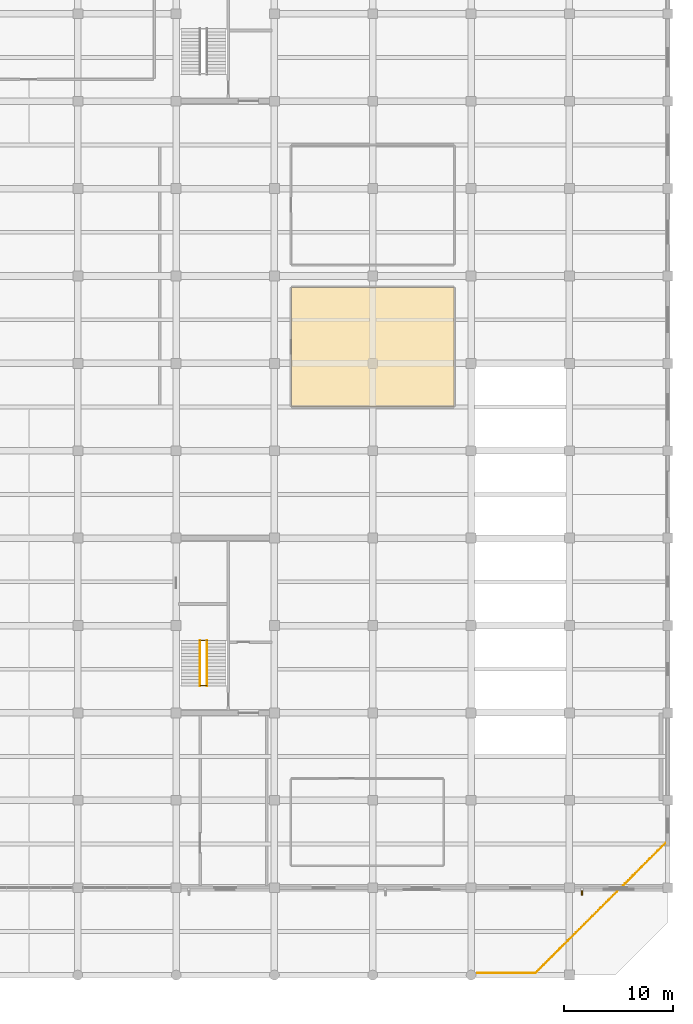
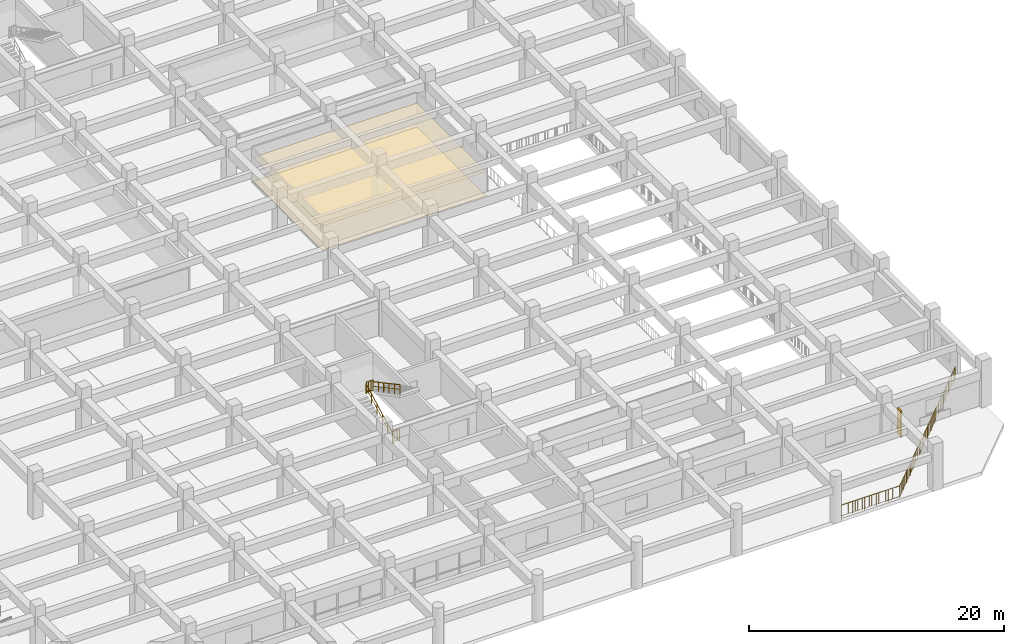
# One storey, part 38 of 40: 5 railings, 2 coverings, 1 shading device.
"""IFC4 building model written with IfcOpenShell, lengths in metres."""

from ifc_helpers import new_model, si_unit, direction, frame, frame_2d, origin, origin_2d, place, context, subcontext, project, spatial, polyline, rectangle, circle, outline, extrude, material, layer, layer_set, type_object, element, save


model = new_model("IFC4")

# Units and contexts
model_context = context("Model", 3, precision=1e-05, world=origin(), true_north=direction((0.0, 1.0)))
body_context = subcontext(model_context, "Body", "Model", "MODEL_VIEW")
ifc_project = project(units=[si_unit("LENGTHUNIT", "METRE"), si_unit("AREAUNIT", "SQUARE_METRE"), si_unit("VOLUMEUNIT", "CUBIC_METRE"), si_unit("PLANEANGLEUNIT", "RADIAN"), si_unit("MASSUNIT", "GRAM", prefix="KILO")], contexts=[model_context])

# Site, building, storey
site_placement = place(None, origin())
site = spatial("IfcSite", under=ifc_project, at=site_placement, CompositionType="ELEMENT")
building_placement = place(site_placement, origin())
building = spatial("IfcBuilding", under=site, at=building_placement, Name="Zaverband Oceanarium and Marine Research Institute", CompositionType="ELEMENT")
storey_placement = place(building_placement, origin())
storey = spatial("IfcBuildingStorey", under=building, at=storey_placement, Name="L00", CompositionType="ELEMENT", Elevation=0.0)

# Coverings
ifc_material_1 = material(Name="Perforated mineral-fibre acoustic ceiling tile")
ifc_layer_1 = layer(ifc_material_1, 0.02490234375, Name="Perforated mineral-fibre acoustic ceiling tile")
ifc_layer_set_1 = layer_set([ifc_layer_1], Name="Perforated mineral-fibre acoustic ceiling tile")
covering_type_1 = type_object("IfcCoveringType", Name="CLG-AC-15", PredefinedType="CEILING", material=ifc_layer_set_1)
covering_1_placement = place(storey_placement, frame((0.0, 0.0, 2.31005859375)))
element("IfcCovering", 1, at=covering_1_placement, inside=storey, type_object=covering_type_1, Name="Suspended acoustic ceiling CLG-AC-15", PredefinedType="CEILING", context=body_context, shape_type="SweptSolid", body=[
    extrude(outline(polyline([(145.570068359375, 52.070068359375), (160.429931640625, 52.070068359375), (160.429931640625, 62.929931640625), (145.570068359375, 62.929931640625), (145.570068359375, 52.070068359375)])), origin(), (0.0, 0.0, 1.0), 0.02490234375),
])
ifc_material_2 = material(Name="Polished marine terrazzo and seamless laboratory epoxy flooring")
ifc_layer_2 = layer(ifc_material_2, 0.02490234375, Name="Polished marine terrazzo and seamless laboratory epoxy flooring")
ifc_layer_set_2 = layer_set([ifc_layer_2], Name="Polished marine terrazzo and seamless laboratory epoxy flooring")
covering_type_2 = type_object("IfcCoveringType", Name="FLR-TRZ-20", PredefinedType="FLOORING", material=ifc_layer_set_2)
covering_2_placement = place(storey_placement, origin())
element("IfcCovering", 2, at=covering_2_placement, inside=storey, type_object=covering_type_2, Name="Terrazzo and marine epoxy floor finish FLR-TRZ-20", PredefinedType="FLOORING", context=body_context, shape_type="SweptSolid", body=[
    extrude(outline(polyline([(145.570068359375, 52.070068359375), (160.429931640625, 52.070068359375), (160.429931640625, 62.929931640625), (145.570068359375, 62.929931640625), (145.570068359375, 52.070068359375)])), origin(), (0.0, 0.0, 1.0), 0.02490234375),
])

# Railings
ifc_material_3 = material(Name="Steel S355", Category="steel")
ifc_layer_3 = layer(ifc_material_3, 0.06005859375, Name="Steel S355")
ifc_layer_set_3 = layer_set([ifc_layer_3], Name="Steel S355")
railing_type_1 = type_object("IfcRailingType", Name="GRD-1100", PredefinedType="BALUSTRADE", material=ifc_layer_set_3)
for number, where, name in (
    (3, (137.18994140625, 30.6298828125, 2.25), "1100 mm steel post-and-baluster safety guard GRD-1100"),
    (4, (137.18994140625, 26.530029296875, 0.0), "1100 mm steel post-and-baluster safety guard GRD-1100"),
):
    element("IfcRailing", number, at=place(storey_placement, frame(where)), inside=storey, type_object=railing_type_1, Name=name, PredefinedType="BALUSTRADE", context=body_context, shape_type="SweptSolid", body=[
        extrude(circle(Radius=0.02392578125, at=origin_2d()), frame((0.0, 0.0, 1.076171875), z_axis=(1.0, 0.0, 0.0), x_axis=(0.0, 1.0, 0.0)), (0.0, 0.0, 1.0), 0.6201171875),
        extrude(circle(Radius=0.009033203125, at=origin_2d()), frame((0.0, 0.0, 0.10009765625), z_axis=(1.0, 0.0, 0.0), x_axis=(0.0, 1.0, 0.0)), (0.0, 0.0, 1.0), 0.6201171875),
        extrude(circle(Radius=0.009033203125, at=origin_2d()), frame((0.206787109375, 0.0, 0.10009765625)), (0.0, 0.0, 1.0), 0.951904296875),
        extrude(circle(Radius=0.009033203125, at=origin_2d()), frame((0.413330078125, 0.0, 0.10009765625)), (0.0, 0.0, 1.0), 0.951904296875),
        extrude(circle(Radius=0.02099609375, at=origin_2d()), origin(), (0.0, 0.0, 1.0), 1.052001953125),
        extrude(circle(Radius=0.02099609375, at=origin_2d()), frame((0.6201171875, 0.0, 0.0)), (0.0, 0.0, 1.0), 1.052001953125),
    ])
ifc_layer_4 = layer(ifc_material_3, 0.06005859375, Name="Steel S355")
ifc_layer_set_4 = layer_set([ifc_layer_4], Name="Steel S355")
railing_type_2 = type_object("IfcRailingType", Name="GRD-EXT-1150", PredefinedType="BALUSTRADE", material=ifc_layer_set_4)
railing_1_placement = place(storey_placement, frame((162.60009765625, 0.179931640625, 0.0)))
element("IfcRailing", 5, at=railing_1_placement, inside=storey, type_object=railing_type_2, Name="1150 mm marine-grade stainless steel terrace guard GRD-EXT-1150", PredefinedType="BALUSTRADE", context=body_context, shape_type="SweptSolid", body=[
    extrude(circle(Radius=0.02392578125, at=origin_2d()), frame((0.0, 0.0, 1.1259765625), z_axis=(1.0, 0.0, 0.0), x_axis=(0.0, 1.0, 0.0)), (0.0, 0.0, 1.0), 5.2998046875),
    extrude(circle(Radius=0.009033203125, at=origin_2d()), frame((0.0, 0.0, 0.10009765625), z_axis=(1.0, 0.0, 0.0), x_axis=(0.0, 1.0, 0.0)), (0.0, 0.0, 1.0), 5.2998046875),
    extrude(circle(Radius=0.009033203125, at=origin_2d()), frame((0.2119140625, 0.0, 0.10009765625)), (0.0, 0.0, 1.0), 1.001708984375),
    extrude(circle(Radius=0.009033203125, at=origin_2d()), frame((0.424072265625, 0.0, 0.10009765625)), (0.0, 0.0, 1.0), 1.001708984375),
    extrude(circle(Radius=0.009033203125, at=origin_2d()), frame((0.635986328125, 0.0, 0.10009765625)), (0.0, 0.0, 1.0), 1.001708984375),
    extrude(circle(Radius=0.009033203125, at=origin_2d()), frame((0.847900390625, 0.0, 0.10009765625)), (0.0, 0.0, 1.0), 1.001708984375),
    extrude(circle(Radius=0.009033203125, at=origin_2d()), frame((1.06005859375, 0.0, 0.10009765625)), (0.0, 0.0, 1.0), 1.001708984375),
    extrude(circle(Radius=0.009033203125, at=origin_2d()), frame((1.27197265625, 0.0, 0.10009765625)), (0.0, 0.0, 1.0), 1.001708984375),
    extrude(circle(Radius=0.009033203125, at=origin_2d()), frame((1.48388671875, 0.0, 0.10009765625)), (0.0, 0.0, 1.0), 1.001708984375),
    extrude(circle(Radius=0.009033203125, at=origin_2d()), frame((1.696044921875, 0.0, 0.10009765625)), (0.0, 0.0, 1.0), 1.001708984375),
    extrude(circle(Radius=0.009033203125, at=origin_2d()), frame((1.907958984375, 0.0, 0.10009765625)), (0.0, 0.0, 1.0), 1.001708984375),
    extrude(circle(Radius=0.009033203125, at=origin_2d()), frame((2.119873046875, 0.0, 0.10009765625)), (0.0, 0.0, 1.0), 1.001708984375),
    extrude(circle(Radius=0.009033203125, at=origin_2d()), frame((2.33203125, 0.0, 0.10009765625)), (0.0, 0.0, 1.0), 1.001708984375),
    extrude(circle(Radius=0.009033203125, at=origin_2d()), frame((2.5439453125, 0.0, 0.10009765625)), (0.0, 0.0, 1.0), 1.001708984375),
    extrude(circle(Radius=0.009033203125, at=origin_2d()), frame((2.755859375, 0.0, 0.10009765625)), (0.0, 0.0, 1.0), 1.001708984375),
    extrude(circle(Radius=0.009033203125, at=origin_2d()), frame((2.9677734375, 0.0, 0.10009765625)), (0.0, 0.0, 1.0), 1.001708984375),
    extrude(circle(Radius=0.009033203125, at=origin_2d()), frame((3.179931640625, 0.0, 0.10009765625)), (0.0, 0.0, 1.0), 1.001708984375),
    extrude(circle(Radius=0.009033203125, at=origin_2d()), frame((3.391845703125, 0.0, 0.10009765625)), (0.0, 0.0, 1.0), 1.001708984375),
    extrude(circle(Radius=0.009033203125, at=origin_2d()), frame((3.603759765625, 0.0, 0.10009765625)), (0.0, 0.0, 1.0), 1.001708984375),
    extrude(circle(Radius=0.009033203125, at=origin_2d()), frame((3.81591796875, 0.0, 0.10009765625)), (0.0, 0.0, 1.0), 1.001708984375),
    extrude(circle(Radius=0.009033203125, at=origin_2d()), frame((4.02783203125, 0.0, 0.10009765625)), (0.0, 0.0, 1.0), 1.001708984375),
    extrude(circle(Radius=0.009033203125, at=origin_2d()), frame((4.23974609375, 0.0, 0.10009765625)), (0.0, 0.0, 1.0), 1.001708984375),
    extrude(circle(Radius=0.009033203125, at=origin_2d()), frame((4.451904296875, 0.0, 0.10009765625)), (0.0, 0.0, 1.0), 1.001708984375),
    extrude(circle(Radius=0.009033203125, at=origin_2d()), frame((4.663818359375, 0.0, 0.10009765625)), (0.0, 0.0, 1.0), 1.001708984375),
    extrude(circle(Radius=0.009033203125, at=origin_2d()), frame((4.875732421875, 0.0, 0.10009765625)), (0.0, 0.0, 1.0), 1.001708984375),
    extrude(circle(Radius=0.009033203125, at=origin_2d()), frame((5.087890625, 0.0, 0.10009765625)), (0.0, 0.0, 1.0), 1.001708984375),
    extrude(circle(Radius=0.02392578125, at=origin_2d()), frame((5.2998046875, 0.0, 1.1259765625), z_axis=(0.707106781187, 0.707106781187, 0.0), x_axis=(-0.707106781187, 0.707106781187, 0.0)), (0.0, 0.0, 1.0), 16.857666015625),
    extrude(circle(Radius=0.009033203125, at=origin_2d()), frame((5.2998046875, 0.0, 0.10009765625), z_axis=(0.707106781187, 0.707106781187, 0.0), x_axis=(-0.707106781187, 0.707106781187, 0.0)), (0.0, 0.0, 1.0), 16.857666015625),
    extrude(circle(Radius=0.009033203125, at=origin_2d()), frame((5.45458984375, 0.15478515625, 0.10009765625)), (0.0, 0.0, 1.0), 1.001708984375),
    extrude(circle(Radius=0.009033203125, at=origin_2d()), frame((5.609375, 0.3095703125, 0.10009765625)), (0.0, 0.0, 1.0), 1.001708984375),
    extrude(circle(Radius=0.009033203125, at=origin_2d()), frame((5.76416015625, 0.46435546875, 0.10009765625)), (0.0, 0.0, 1.0), 1.001708984375),
    extrude(circle(Radius=0.009033203125, at=origin_2d()), frame((5.9189453125, 0.619140625, 0.10009765625)), (0.0, 0.0, 1.0), 1.001708984375),
    extrude(circle(Radius=0.009033203125, at=origin_2d()), frame((6.07373046875, 0.77392578125, 0.10009765625)), (0.0, 0.0, 1.0), 1.001708984375),
    extrude(circle(Radius=0.009033203125, at=origin_2d()), frame((6.228759765625, 0.928955078125, 0.10009765625)), (0.0, 0.0, 1.0), 1.001708984375),
    extrude(circle(Radius=0.009033203125, at=origin_2d()), frame((6.383544921875, 1.083740234375, 0.10009765625)), (0.0, 0.0, 1.0), 1.001708984375),
    extrude(circle(Radius=0.009033203125, at=origin_2d()), frame((6.538330078125, 1.238525390625, 0.10009765625)), (0.0, 0.0, 1.0), 1.001708984375),
    extrude(circle(Radius=0.009033203125, at=origin_2d()), frame((6.693115234375, 1.393310546875, 0.10009765625)), (0.0, 0.0, 1.0), 1.001708984375),
    extrude(circle(Radius=0.009033203125, at=origin_2d()), frame((6.847900390625, 1.548095703125, 0.10009765625)), (0.0, 0.0, 1.0), 1.001708984375),
    extrude(circle(Radius=0.009033203125, at=origin_2d()), frame((7.002685546875, 1.702880859375, 0.10009765625)), (0.0, 0.0, 1.0), 1.001708984375),
    extrude(circle(Radius=0.009033203125, at=origin_2d()), frame((7.157470703125, 1.857666015625, 0.10009765625)), (0.0, 0.0, 1.0), 1.001708984375),
    extrude(circle(Radius=0.009033203125, at=origin_2d()), frame((7.312255859375, 2.012451171875, 0.10009765625)), (0.0, 0.0, 1.0), 1.001708984375),
    extrude(circle(Radius=0.009033203125, at=origin_2d()), frame((7.467041015625, 2.167236328125, 0.10009765625)), (0.0, 0.0, 1.0), 1.001708984375),
    extrude(circle(Radius=0.009033203125, at=origin_2d()), frame((7.621826171875, 2.322021484375, 0.10009765625)), (0.0, 0.0, 1.0), 1.001708984375),
    extrude(circle(Radius=0.009033203125, at=origin_2d()), frame((7.776611328125, 2.476806640625, 0.10009765625)), (0.0, 0.0, 1.0), 1.001708984375),
    extrude(circle(Radius=0.009033203125, at=origin_2d()), frame((7.931640625, 2.6318359375, 0.10009765625)), (0.0, 0.0, 1.0), 1.001708984375),
    extrude(circle(Radius=0.009033203125, at=origin_2d()), frame((8.08642578125, 2.78662109375, 0.10009765625)), (0.0, 0.0, 1.0), 1.001708984375),
    extrude(circle(Radius=0.009033203125, at=origin_2d()), frame((8.2412109375, 2.94140625, 0.10009765625)), (0.0, 0.0, 1.0), 1.001708984375),
    extrude(circle(Radius=0.009033203125, at=origin_2d()), frame((8.39599609375, 3.09619140625, 0.10009765625)), (0.0, 0.0, 1.0), 1.001708984375),
    extrude(circle(Radius=0.009033203125, at=origin_2d()), frame((8.55078125, 3.2509765625, 0.10009765625)), (0.0, 0.0, 1.0), 1.001708984375),
    extrude(circle(Radius=0.009033203125, at=origin_2d()), frame((8.70556640625, 3.40576171875, 0.10009765625)), (0.0, 0.0, 1.0), 1.001708984375),
    extrude(circle(Radius=0.009033203125, at=origin_2d()), frame((8.8603515625, 3.560546875, 0.10009765625)), (0.0, 0.0, 1.0), 1.001708984375),
    extrude(circle(Radius=0.009033203125, at=origin_2d()), frame((9.01513671875, 3.71533203125, 0.10009765625)), (0.0, 0.0, 1.0), 1.001708984375),
    extrude(circle(Radius=0.009033203125, at=origin_2d()), frame((9.169921875, 3.8701171875, 0.10009765625)), (0.0, 0.0, 1.0), 1.001708984375),
    extrude(circle(Radius=0.009033203125, at=origin_2d()), frame((9.32470703125, 4.02490234375, 0.10009765625)), (0.0, 0.0, 1.0), 1.001708984375),
    extrude(circle(Radius=0.009033203125, at=origin_2d()), frame((9.4794921875, 4.1796875, 0.10009765625)), (0.0, 0.0, 1.0), 1.001708984375),
    extrude(circle(Radius=0.009033203125, at=origin_2d()), frame((9.634521484375, 4.334716796875, 0.10009765625)), (0.0, 0.0, 1.0), 1.001708984375),
    extrude(circle(Radius=0.009033203125, at=origin_2d()), frame((9.789306640625, 4.489501953125, 0.10009765625)), (0.0, 0.0, 1.0), 1.001708984375),
    extrude(circle(Radius=0.009033203125, at=origin_2d()), frame((9.944091796875, 4.644287109375, 0.10009765625)), (0.0, 0.0, 1.0), 1.001708984375),
    extrude(circle(Radius=0.009033203125, at=origin_2d()), frame((10.098876953125, 4.799072265625, 0.10009765625)), (0.0, 0.0, 1.0), 1.001708984375),
    extrude(circle(Radius=0.009033203125, at=origin_2d()), frame((10.253662109375, 4.953857421875, 0.10009765625)), (0.0, 0.0, 1.0), 1.001708984375),
    extrude(circle(Radius=0.009033203125, at=origin_2d()), frame((10.408447265625, 5.108642578125, 0.10009765625)), (0.0, 0.0, 1.0), 1.001708984375),
    extrude(circle(Radius=0.009033203125, at=origin_2d()), frame((10.563232421875, 5.263427734375, 0.10009765625)), (0.0, 0.0, 1.0), 1.001708984375),
    extrude(circle(Radius=0.009033203125, at=origin_2d()), frame((10.718017578125, 5.418212890625, 0.10009765625)), (0.0, 0.0, 1.0), 1.001708984375),
    extrude(circle(Radius=0.009033203125, at=origin_2d()), frame((10.872802734375, 5.572998046875, 0.10009765625)), (0.0, 0.0, 1.0), 1.001708984375),
    extrude(circle(Radius=0.009033203125, at=origin_2d()), frame((11.027587890625, 5.727783203125, 0.10009765625)), (0.0, 0.0, 1.0), 1.001708984375),
    extrude(circle(Radius=0.009033203125, at=origin_2d()), frame((11.182373046875, 5.882568359375, 0.10009765625)), (0.0, 0.0, 1.0), 1.001708984375),
    extrude(circle(Radius=0.009033203125, at=origin_2d()), frame((11.33740234375, 6.03759765625, 0.10009765625)), (0.0, 0.0, 1.0), 1.001708984375),
    extrude(circle(Radius=0.009033203125, at=origin_2d()), frame((11.4921875, 6.1923828125, 0.10009765625)), (0.0, 0.0, 1.0), 1.001708984375),
    extrude(circle(Radius=0.009033203125, at=origin_2d()), frame((11.64697265625, 6.34716796875, 0.10009765625)), (0.0, 0.0, 1.0), 1.001708984375),
    extrude(circle(Radius=0.009033203125, at=origin_2d()), frame((11.8017578125, 6.501953125, 0.10009765625)), (0.0, 0.0, 1.0), 1.001708984375),
    extrude(circle(Radius=0.009033203125, at=origin_2d()), frame((11.95654296875, 6.65673828125, 0.10009765625)), (0.0, 0.0, 1.0), 1.001708984375),
    extrude(circle(Radius=0.009033203125, at=origin_2d()), frame((12.111328125, 6.8115234375, 0.10009765625)), (0.0, 0.0, 1.0), 1.001708984375),
    extrude(circle(Radius=0.009033203125, at=origin_2d()), frame((12.26611328125, 6.96630859375, 0.10009765625)), (0.0, 0.0, 1.0), 1.001708984375),
    extrude(circle(Radius=0.009033203125, at=origin_2d()), frame((12.4208984375, 7.12109375, 0.10009765625)), (0.0, 0.0, 1.0), 1.001708984375),
    extrude(circle(Radius=0.009033203125, at=origin_2d()), frame((12.57568359375, 7.27587890625, 0.10009765625)), (0.0, 0.0, 1.0), 1.001708984375),
    extrude(circle(Radius=0.009033203125, at=origin_2d()), frame((12.73046875, 7.4306640625, 0.10009765625)), (0.0, 0.0, 1.0), 1.001708984375),
    extrude(circle(Radius=0.009033203125, at=origin_2d()), frame((12.88525390625, 7.58544921875, 0.10009765625)), (0.0, 0.0, 1.0), 1.001708984375),
    extrude(circle(Radius=0.009033203125, at=origin_2d()), frame((13.040283203125, 7.740478515625, 0.10009765625)), (0.0, 0.0, 1.0), 1.001708984375),
    extrude(circle(Radius=0.009033203125, at=origin_2d()), frame((13.195068359375, 7.895263671875, 0.10009765625)), (0.0, 0.0, 1.0), 1.001708984375),
    extrude(circle(Radius=0.009033203125, at=origin_2d()), frame((13.349853515625, 8.050048828125, 0.10009765625)), (0.0, 0.0, 1.0), 1.001708984375),
    extrude(circle(Radius=0.009033203125, at=origin_2d()), frame((13.504638671875, 8.204833984375, 0.10009765625)), (0.0, 0.0, 1.0), 1.001708984375),
    extrude(circle(Radius=0.009033203125, at=origin_2d()), frame((13.659423828125, 8.359619140625, 0.10009765625)), (0.0, 0.0, 1.0), 1.001708984375),
    extrude(circle(Radius=0.009033203125, at=origin_2d()), frame((13.814208984375, 8.514404296875, 0.10009765625)), (0.0, 0.0, 1.0), 1.001708984375),
    extrude(circle(Radius=0.009033203125, at=origin_2d()), frame((13.968994140625, 8.669189453125, 0.10009765625)), (0.0, 0.0, 1.0), 1.001708984375),
    extrude(circle(Radius=0.009033203125, at=origin_2d()), frame((14.123779296875, 8.823974609375, 0.10009765625)), (0.0, 0.0, 1.0), 1.001708984375),
    extrude(circle(Radius=0.009033203125, at=origin_2d()), frame((14.278564453125, 8.978759765625, 0.10009765625)), (0.0, 0.0, 1.0), 1.001708984375),
    extrude(circle(Radius=0.009033203125, at=origin_2d()), frame((14.433349609375, 9.133544921875, 0.10009765625)), (0.0, 0.0, 1.0), 1.001708984375),
    extrude(circle(Radius=0.009033203125, at=origin_2d()), frame((14.588134765625, 9.288330078125, 0.10009765625)), (0.0, 0.0, 1.0), 1.001708984375),
    extrude(circle(Radius=0.009033203125, at=origin_2d()), frame((14.7431640625, 9.443359375, 0.10009765625)), (0.0, 0.0, 1.0), 1.001708984375),
    extrude(circle(Radius=0.009033203125, at=origin_2d()), frame((14.89794921875, 9.59814453125, 0.10009765625)), (0.0, 0.0, 1.0), 1.001708984375),
    extrude(circle(Radius=0.009033203125, at=origin_2d()), frame((15.052734375, 9.7529296875, 0.10009765625)), (0.0, 0.0, 1.0), 1.001708984375),
    extrude(circle(Radius=0.009033203125, at=origin_2d()), frame((15.20751953125, 9.90771484375, 0.10009765625)), (0.0, 0.0, 1.0), 1.001708984375),
    extrude(circle(Radius=0.009033203125, at=origin_2d()), frame((15.3623046875, 10.0625, 0.10009765625)), (0.0, 0.0, 1.0), 1.001708984375),
    extrude(circle(Radius=0.009033203125, at=origin_2d()), frame((15.51708984375, 10.21728515625, 0.10009765625)), (0.0, 0.0, 1.0), 1.001708984375),
    extrude(circle(Radius=0.009033203125, at=origin_2d()), frame((15.671875, 10.3720703125, 0.10009765625)), (0.0, 0.0, 1.0), 1.001708984375),
    extrude(circle(Radius=0.009033203125, at=origin_2d()), frame((15.82666015625, 10.52685546875, 0.10009765625)), (0.0, 0.0, 1.0), 1.001708984375),
    extrude(circle(Radius=0.009033203125, at=origin_2d()), frame((15.9814453125, 10.681640625, 0.10009765625)), (0.0, 0.0, 1.0), 1.001708984375),
    extrude(circle(Radius=0.009033203125, at=origin_2d()), frame((16.13623046875, 10.83642578125, 0.10009765625)), (0.0, 0.0, 1.0), 1.001708984375),
    extrude(circle(Radius=0.009033203125, at=origin_2d()), frame((16.291015625, 10.9912109375, 0.10009765625)), (0.0, 0.0, 1.0), 1.001708984375),
    extrude(circle(Radius=0.009033203125, at=origin_2d()), frame((16.446044921875, 11.146240234375, 0.10009765625)), (0.0, 0.0, 1.0), 1.001708984375),
    extrude(circle(Radius=0.009033203125, at=origin_2d()), frame((16.600830078125, 11.301025390625, 0.10009765625)), (0.0, 0.0, 1.0), 1.001708984375),
    extrude(circle(Radius=0.009033203125, at=origin_2d()), frame((16.755615234375, 11.455810546875, 0.10009765625)), (0.0, 0.0, 1.0), 1.001708984375),
    extrude(circle(Radius=0.009033203125, at=origin_2d()), frame((16.910400390625, 11.610595703125, 0.10009765625)), (0.0, 0.0, 1.0), 1.001708984375),
    extrude(circle(Radius=0.009033203125, at=origin_2d()), frame((17.065185546875, 11.765380859375, 0.10009765625)), (0.0, 0.0, 1.0), 1.001708984375),
    extrude(circle(Radius=0.02099609375, at=origin_2d()), origin(), (0.0, 0.0, 1.0), 1.101806640625),
    extrude(circle(Radius=0.02099609375, at=origin_2d()), frame((1.06005859375, 0.0, 0.0)), (0.0, 0.0, 1.0), 1.101806640625),
    extrude(circle(Radius=0.02099609375, at=origin_2d()), frame((2.119873046875, 0.0, 0.0)), (0.0, 0.0, 1.0), 1.101806640625),
    extrude(circle(Radius=0.02099609375, at=origin_2d()), frame((3.179931640625, 0.0, 0.0)), (0.0, 0.0, 1.0), 1.101806640625),
    extrude(circle(Radius=0.02099609375, at=origin_2d()), frame((4.23974609375, 0.0, 0.0)), (0.0, 0.0, 1.0), 1.101806640625),
    extrude(circle(Radius=0.02099609375, at=origin_2d()), frame((5.2998046875, 0.0, 0.0)), (0.0, 0.0, 1.0), 1.101806640625),
    extrude(circle(Radius=0.02099609375, at=origin_2d()), frame((6.044921875, 0.7451171875, 0.0)), (0.0, 0.0, 1.0), 1.101806640625),
    extrude(circle(Radius=0.02099609375, at=origin_2d()), frame((6.789794921875, 1.489990234375, 0.0)), (0.0, 0.0, 1.0), 1.101806640625),
    extrude(circle(Radius=0.02099609375, at=origin_2d()), frame((7.534912109375, 2.235107421875, 0.0)), (0.0, 0.0, 1.0), 1.101806640625),
    extrude(circle(Radius=0.02099609375, at=origin_2d()), frame((8.27978515625, 2.97998046875, 0.0)), (0.0, 0.0, 1.0), 1.101806640625),
    extrude(circle(Radius=0.02099609375, at=origin_2d()), frame((9.02490234375, 3.72509765625, 0.0)), (0.0, 0.0, 1.0), 1.101806640625),
    extrude(circle(Radius=0.02099609375, at=origin_2d()), frame((9.769775390625, 4.469970703125, 0.0)), (0.0, 0.0, 1.0), 1.101806640625),
    extrude(circle(Radius=0.02099609375, at=origin_2d()), frame((10.514892578125, 5.215087890625, 0.0)), (0.0, 0.0, 1.0), 1.101806640625),
    extrude(circle(Radius=0.02099609375, at=origin_2d()), frame((11.259765625, 5.9599609375, 0.0)), (0.0, 0.0, 1.0), 1.101806640625),
    extrude(circle(Radius=0.02099609375, at=origin_2d()), frame((12.0048828125, 6.705078125, 0.0)), (0.0, 0.0, 1.0), 1.101806640625),
    extrude(circle(Radius=0.02099609375, at=origin_2d()), frame((12.75, 7.4501953125, 0.0)), (0.0, 0.0, 1.0), 1.101806640625),
    extrude(circle(Radius=0.02099609375, at=origin_2d()), frame((13.494873046875, 8.195068359375, 0.0)), (0.0, 0.0, 1.0), 1.101806640625),
    extrude(circle(Radius=0.02099609375, at=origin_2d()), frame((14.239990234375, 8.940185546875, 0.0)), (0.0, 0.0, 1.0), 1.101806640625),
    extrude(circle(Radius=0.02099609375, at=origin_2d()), frame((14.98486328125, 9.68505859375, 0.0)), (0.0, 0.0, 1.0), 1.101806640625),
    extrude(circle(Radius=0.02099609375, at=origin_2d()), frame((15.72998046875, 10.43017578125, 0.0)), (0.0, 0.0, 1.0), 1.101806640625),
    extrude(circle(Radius=0.02099609375, at=origin_2d()), frame((16.474853515625, 11.175048828125, 0.0)), (0.0, 0.0, 1.0), 1.101806640625),
    extrude(circle(Radius=0.02099609375, at=origin_2d()), frame((17.219970703125, 11.920166015625, 0.0)), (0.0, 0.0, 1.0), 1.101806640625),
])
ifc_layer_5 = layer(ifc_material_3, 0.050048828125, Name="Steel S355")
ifc_layer_set_5 = layer_set([ifc_layer_5], Name="Steel S355")
railing_type_3 = type_object("IfcRailingType", Name="HR-920", PredefinedType="HANDRAIL", material=ifc_layer_set_5)
railing_2_placement = place(storey_placement, frame((137.18994140625, 26.449951171875, 0.0)))
element("IfcRailing", 6, at=railing_2_placement, inside=storey, type_object=railing_type_3, Name="920 mm continuous tubular stair and ramp handrail HR-920", PredefinedType="HANDRAIL", context=body_context, shape_type="SweptSolid", body=[
    extrude(circle(Radius=0.02392578125, at=origin_2d()), frame((0.0, 0.0, 0.89599609375), z_axis=(0.0, 0.881477684796, 0.472225678258), x_axis=(-1.0, 0.0, 0.0)), (0.0, 0.0, 1.0), 4.7646484375),
    extrude(circle(Radius=0.009033203125, at=origin_2d()), frame((0.0, 0.0, 0.4599609375), z_axis=(0.0, 0.881477684796, 0.472225678258), x_axis=(-1.0, 0.0, 0.0)), (0.0, 0.0, 1.0), 4.7646484375),
    extrude(circle(Radius=0.02099609375, at=origin_2d()), origin(), (0.0, 0.0, 1.0), 0.871826171875),
    extrude(circle(Radius=0.02099609375, at=origin_2d()), frame((0.0, 0.840087890625, 0.449951171875)), (0.0, 0.0, 1.0), 0.871826171875),
    extrude(circle(Radius=0.02099609375, at=origin_2d()), frame((0.0, 1.679931640625, 0.89990234375)), (0.0, 0.0, 1.0), 0.871826171875),
    extrude(circle(Radius=0.02099609375, at=origin_2d()), frame((0.0, 2.52001953125, 1.35009765625)), (0.0, 0.0, 1.0), 0.871826171875),
    extrude(circle(Radius=0.02099609375, at=origin_2d()), frame((0.0, 3.35986328125, 1.800048828125)), (0.0, 0.0, 1.0), 0.871826171875),
    extrude(circle(Radius=0.02099609375, at=origin_2d()), frame((0.0, 4.199951171875, 2.25)), (0.0, 0.0, 1.0), 0.871826171875),
])
railing_3_placement = place(storey_placement, frame((137.81005859375, 30.64990234375, 2.25)))
element("IfcRailing", 7, at=railing_3_placement, inside=storey, type_object=railing_type_3, Name="920 mm continuous tubular stair and ramp handrail HR-920", PredefinedType="HANDRAIL", context=body_context, shape_type="SweptSolid", body=[
    extrude(circle(Radius=0.02392578125, at=origin_2d()), frame((0.0, 0.0, 0.89599609375), z_axis=(0.0, -0.881477684796, 0.472225678258), x_axis=(1.0, 0.0, 0.0)), (0.0, 0.0, 1.0), 4.7646484375),
    extrude(circle(Radius=0.009033203125, at=origin_2d()), frame((0.0, 0.0, 0.4599609375), z_axis=(0.0, -0.881477684796, 0.472225678258), x_axis=(1.0, 0.0, 0.0)), (0.0, 0.0, 1.0), 4.7646484375),
    extrude(circle(Radius=0.02099609375, at=origin_2d()), origin(), (0.0, 0.0, 1.0), 0.871826171875),
    extrude(circle(Radius=0.02099609375, at=origin_2d()), frame((0.0, -0.840087890625, 0.449951171875)), (0.0, 0.0, 1.0), 0.871826171875),
    extrude(circle(Radius=0.02099609375, at=origin_2d()), frame((0.0, -1.679931640625, 0.89990234375)), (0.0, 0.0, 1.0), 0.871826171875),
    extrude(circle(Radius=0.02099609375, at=origin_2d()), frame((0.0, -2.52001953125, 1.35009765625)), (0.0, 0.0, 1.0), 0.871826171875),
    extrude(circle(Radius=0.02099609375, at=origin_2d()), frame((0.0, -3.35986328125, 1.800048828125)), (0.0, 0.0, 1.0), 0.871826171875),
    extrude(circle(Radius=0.02099609375, at=origin_2d()), frame((0.0, -4.199951171875, 2.25)), (0.0, 0.0, 1.0), 0.871826171875),
])

# Shading device
ifc_material_4 = material(Name="Concrete C40/50 precast brise-soleil", Category="concrete")
ifc_layer_6 = layer(ifc_material_4, 0.139892578125, Name="Concrete C40/50 precast brise-soleil")
ifc_layer_set_6 = layer_set([ifc_layer_6], Name="Concrete C40/50 precast brise-soleil")
shading_device_type = type_object("IfcShadingDeviceType", Name="SHD-FIN-600", PredefinedType="JALOUSIE", material=ifc_layer_set_6)
shading_device_placement = place(storey_placement, frame((172.155029296875, 7.887451171875, 0.0), z_axis=(0.0, 0.0, 1.0), x_axis=(0.0, -1.0, 0.0)))
element("IfcShadingDevice", 8, at=shading_device_placement, inside=storey, type_object=shading_device_type, Name="600 mm vertical precast brise-soleil fin SHD-FIN-600", PredefinedType="JALOUSIE", context=body_context, shape_type="SweptSolid", body=[
    extrude(rectangle(XDim=0.599853515625, YDim=0.139892578125, at=frame_2d((0.2998046875, 0.0))), origin(), (0.0, 0.0, 1.0), 2.43994140625),
])

save(model, "model.ifc")
